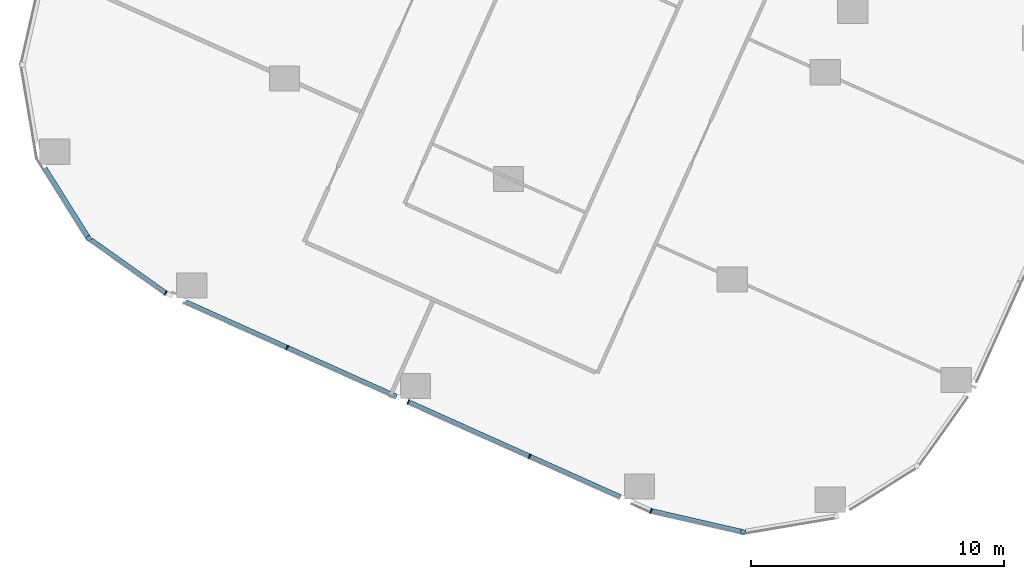
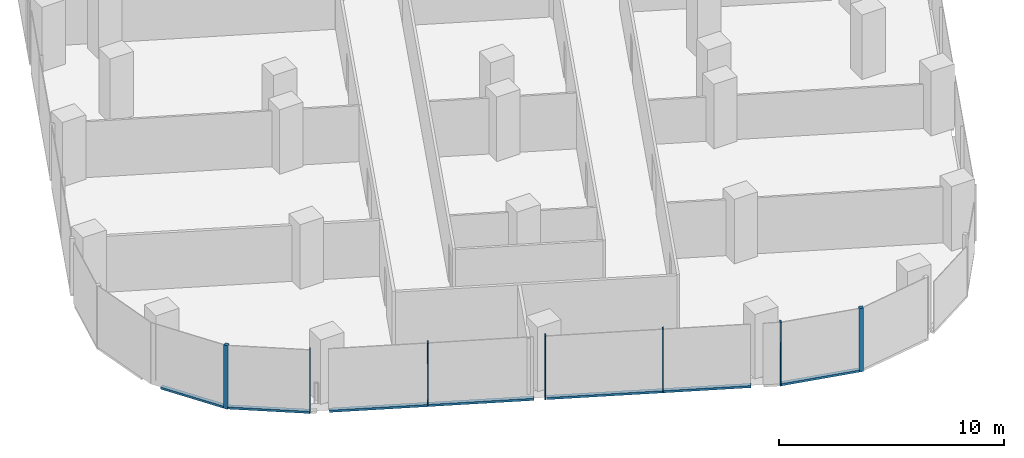
# One storey, part 2 of 34: 12 members, 4 elements without a shape of their own.
"""IFC4 building model written with IfcOpenShell, lengths in metres."""

from ifc_helpers import new_model, si_unit, direction, frame, origin, origin_2d, place, context, subcontext, project, spatial, rectangle, extrude, material, material_profile, profile_set, type_object, element, aggregate, save


model = new_model("IFC4")

# Units and contexts
model_context = context("Model", 3, precision=1e-05, world=origin(), true_north=direction((0.0, 1.0)))
body_context = subcontext(model_context, "Body", "Model", "MODEL_VIEW")
ifc_project = project(units=[si_unit("LENGTHUNIT", "METRE"), si_unit("AREAUNIT", "SQUARE_METRE"), si_unit("VOLUMEUNIT", "CUBIC_METRE"), si_unit("PLANEANGLEUNIT", "RADIAN"), si_unit("MASSUNIT", "GRAM", prefix="KILO")], contexts=[model_context])

# Site, building, storey
site_placement = place(None, origin())
site = spatial("IfcSite", under=ifc_project, at=site_placement, CompositionType="ELEMENT")
building_placement = place(site_placement, origin())
building = spatial("IfcBuilding", under=site, at=building_placement, Name="Orlundy Tower", CompositionType="ELEMENT")
storey_placement = place(building_placement, frame((0.0, 0.0, 137.699951171875)))
storey = spatial("IfcBuildingStorey", under=building, at=storey_placement, Name="L35", CompositionType="ELEMENT", Elevation=137.699951171875)

# Curtain wall, member
ifc_material_1 = material(Name="Aluminium bronze anodised", Category="aluminium")
curtain_wall_type = type_object("IfcCurtainWallType", Name="CW1 wall", PredefinedType="NOTDEFINED", material=ifc_material_1)
curtain_wall_1_placement = place(storey_placement, origin())
curtain_wall_1 = element("IfcCurtainWall", 1, at=curtain_wall_1_placement, inside=storey, type_object=curtain_wall_type, Name="CW1 run 022", PredefinedType="NOTDEFINED")
ifc_material_2 = material(Name="Aluminium bronze anodised", Category="aluminium")
ifc_material_profile_1 = material_profile(ifc_material_2, rectangle(XDim=0.179931640625, YDim=0.179931640625, at=origin_2d()), Name="CW1 corner post 180x180")
ifc_profile_set_1 = profile_set([ifc_material_profile_1], Name="Aluminium bronze anodised")
member_type_1 = type_object("IfcMemberType", Name="CW1 corner post 180x180", PredefinedType="MULLION", material=ifc_profile_set_1)
member_1_placement = place(storey_placement, frame((-11.57861328125, -60.416748046875, -0.39990234375), z_axis=(0.0, 0.0, 1.0), x_axis=(-0.223696612955, -0.974658825104, 0.0)))
member_1 = element("IfcMember", 2, at=member_1_placement, type_object=member_type_1, Name="CW1 mullion 60", PredefinedType="MULLION", context=body_context, shape_type="SweptSolid", body=[
    extrude(rectangle(XDim=0.179931640625, YDim=0.179931640625, at=origin_2d()), origin(), (0.0, 0.0, 1.0), 3.449951171875),
])

curtain_wall_2_placement = place(storey_placement, origin())
curtain_wall_2 = element("IfcCurtainWall", 3, at=curtain_wall_2_placement, inside=storey, type_object=curtain_wall_type, Name="CW1 run 025", PredefinedType="NOTDEFINED")
member_2_placement = place(storey_placement, frame((-37.435791015625, -48.81396484375, -0.39990234375), z_axis=(0.0, 0.0, 1.0), x_axis=(-0.847285276564, -0.531138080086, 0.0)))
member_2 = element("IfcMember", 4, at=member_2_placement, type_object=member_type_1, Name="CW1 mullion 66", PredefinedType="MULLION", context=body_context, shape_type="SweptSolid", body=[
    extrude(rectangle(XDim=0.179931640625, YDim=0.179931640625, at=origin_2d()), origin(), (0.0, 0.0, 1.0), 3.449951171875),
])

# Curtain wall, members
curtain_wall_3_placement = place(storey_placement, origin())
curtain_wall_3 = element("IfcCurtainWall", 5, at=curtain_wall_3_placement, inside=storey, type_object=curtain_wall_type, Name="CW1 run 023", PredefinedType="NOTDEFINED")
ifc_material_3 = material(Name="Aluminium bronze anodised", Category="aluminium")
ifc_material_profile_2 = material_profile(ifc_material_3, rectangle(XDim=0.179931640625, YDim=0.050048828125, at=origin_2d()), Name="CW1 mullion 50x180")
ifc_profile_set_2 = profile_set([ifc_material_profile_2], Name="Aluminium bronze anodised")
member_type_2 = type_object("IfcMemberType", Name="CW1 mullion 50x180", PredefinedType="MULLION", material=ifc_profile_set_2)
member_3_placement = place(storey_placement, frame((-15.216796875, -59.581787109375, -0.39990234375), z_axis=(0.0, 0.0, 1.0), x_axis=(-0.31806418757, -0.948069181329, 0.0)))
member_3 = element("IfcMember", 6, at=member_3_placement, type_object=member_type_2, Name="CW1 mullion 61", PredefinedType="MULLION", context=body_context, shape_type="SweptSolid", body=[
    extrude(rectangle(XDim=0.179931640625, YDim=0.050048828125, at=origin_2d()), origin(), (0.0, 0.0, 1.0), 3.449951171875),
])
member_4_placement = place(storey_placement, frame((-20.014892578125, -57.428955078125, -0.39990234375), z_axis=(0.0, 0.0, 1.0), x_axis=(-0.409374450241, -0.912366461182, 0.0)))
member_4 = element("IfcMember", 7, at=member_4_placement, type_object=member_type_2, Name="CW1 mullion 62", PredefinedType="MULLION", context=body_context, shape_type="SweptSolid", body=[
    extrude(rectangle(XDim=0.179931640625, YDim=0.050048828125, at=origin_2d()), origin(), (0.0, 0.0, 1.0), 3.449951171875),
])
member_5_placement = place(storey_placement, frame((-24.804931640625, -55.279541015625, -0.39990234375), z_axis=(0.0, 0.0, 1.0), x_axis=(-0.409374450241, -0.912366461182, 0.0)))
member_5 = element("IfcMember", 8, at=member_5_placement, type_object=member_type_2, Name="CW1 mullion 63", PredefinedType="MULLION", context=body_context, shape_type="SweptSolid", body=[
    extrude(rectangle(XDim=0.179931640625, YDim=0.050048828125, at=origin_2d()), origin(), (0.0, 0.0, 1.0), 3.449951171875),
])
member_6_placement = place(storey_placement, frame((-29.5947265625, -53.13037109375, -0.39990234375), z_axis=(0.0, 0.0, 1.0), x_axis=(-0.409374450241, -0.912366461182, 0.0)))
member_6 = element("IfcMember", 9, at=member_6_placement, type_object=member_type_2, Name="CW1 mullion 64", PredefinedType="MULLION", context=body_context, shape_type="SweptSolid", body=[
    extrude(rectangle(XDim=0.179931640625, YDim=0.050048828125, at=origin_2d()), origin(), (0.0, 0.0, 1.0), 3.449951171875),
])

# Curtain wall, member
curtain_wall_4_placement = place(storey_placement, origin())
curtain_wall_4 = element("IfcCurtainWall", 10, at=curtain_wall_4_placement, inside=storey, type_object=curtain_wall_type, Name="CW1 run 024", PredefinedType="NOTDEFINED")
member_7_placement = place(storey_placement, frame((-34.392822265625, -50.9775390625, -0.39990234375), z_axis=(0.0, 0.0, 1.0), x_axis=(-0.496816751201, -0.867855469376, 0.0)))
member_7 = element("IfcMember", 11, at=member_7_placement, type_object=member_type_2, Name="CW1 mullion 65", PredefinedType="MULLION", context=body_context, shape_type="SweptSolid", body=[
    extrude(rectangle(XDim=0.179931640625, YDim=0.050048828125, at=origin_2d()), origin(), (0.0, 0.0, 1.0), 3.449951171875),
])

# Member
ifc_material_4 = material(Name="Aluminium bronze anodised", Category="aluminium")
ifc_material_profile_3 = material_profile(ifc_material_4, rectangle(XDim=0.179931640625, YDim=0.1201171875, at=origin_2d()), Name="CW1 transom 180x120")
ifc_profile_set_3 = profile_set([ifc_material_profile_3], Name="Aluminium bronze anodised")
member_type_3 = type_object("IfcMemberType", Name="CW1 transom 180x120", PredefinedType="USERDEFINED", material=ifc_profile_set_3)
member_8_placement = place(storey_placement, frame((-11.66650390625, -60.396484375, -0.33984375), z_axis=(-0.974667990207, 0.223656676329, 0.0), x_axis=(-0.223656676329, -0.974667990207, 0.0)))
member_8 = element("IfcMember", 12, at=member_8_placement, type_object=member_type_3, Name="CW1 transom", ObjectType="TRANSOM", PredefinedType="USERDEFINED", context=body_context, shape_type="SweptSolid", body=[
    extrude(rectangle(XDim=0.179931640625, YDim=0.1201171875, at=origin_2d()), origin(), (0.0, 0.0, 1.0), 3.617431640625),
])

aggregate(curtain_wall_1, [member_1, member_8])

member_9_placement = place(storey_placement, frame((-16.423095703125, -59.04052734375, -0.33984375), z_axis=(-0.912367920635, 0.409371197565, 0.0), x_axis=(-0.409371197565, -0.912367920635, 0.0)))
member_9 = element("IfcMember", 13, at=member_9_placement, type_object=member_type_3, Name="CW1 transom", ObjectType="TRANSOM", PredefinedType="USERDEFINED", context=body_context, shape_type="SweptSolid", body=[
    extrude(rectangle(XDim=0.179931640625, YDim=0.1201171875, at=origin_2d()), origin(), (0.0, 0.0, 1.0), 9.13720703125),
])

member_10_placement = place(storey_placement, frame((-25.27294921875, -55.069580078125, -0.33984375), z_axis=(-0.912372398272, 0.409361218084, 0.0), x_axis=(-0.409361218084, -0.912372398272, 0.0)))
member_10 = element("IfcMember", 14, at=member_10_placement, type_object=member_type_3, Name="CW1 transom", ObjectType="TRANSOM", PredefinedType="USERDEFINED", context=body_context, shape_type="SweptSolid", body=[
    extrude(rectangle(XDim=0.179931640625, YDim=0.1201171875, at=origin_2d()), origin(), (0.0, 0.0, 1.0), 9.137451171875),
])

aggregate(curtain_wall_3, [member_3, member_4, member_5, member_6, member_9, member_10])

member_11_placement = place(storey_placement, frame((-34.413330078125, -50.962890625, -0.33984375), z_axis=(-0.815001442814, 0.579458927114, 0.0), x_axis=(-0.579458927114, -0.815001442814, 0.0)))
member_11 = element("IfcMember", 15, at=member_11_placement, type_object=member_type_3, Name="CW1 transom", ObjectType="TRANSOM", PredefinedType="USERDEFINED", context=body_context, shape_type="SweptSolid", body=[
    extrude(rectangle(XDim=0.179931640625, YDim=0.1201171875, at=origin_2d()), origin(), (0.0, 0.0, 1.0), 3.611083984375),
])

aggregate(curtain_wall_4, [member_7, member_11])

member_12_placement = place(storey_placement, frame((-37.483642578125, -48.73779296875, -0.33984375), z_axis=(-0.531097295616, 0.847310841775, 0.0), x_axis=(-0.847310841775, -0.531097295616, 0.0)))
member_12 = element("IfcMember", 16, at=member_12_placement, type_object=member_type_3, Name="CW1 transom", ObjectType="TRANSOM", PredefinedType="USERDEFINED", context=body_context, shape_type="SweptSolid", body=[
    extrude(rectangle(XDim=0.179931640625, YDim=0.1201171875, at=origin_2d()), origin(), (0.0, 0.0, 1.0), 3.175537109375),
])

aggregate(curtain_wall_2, [member_2, member_12])

save(model, "model.ifc")
